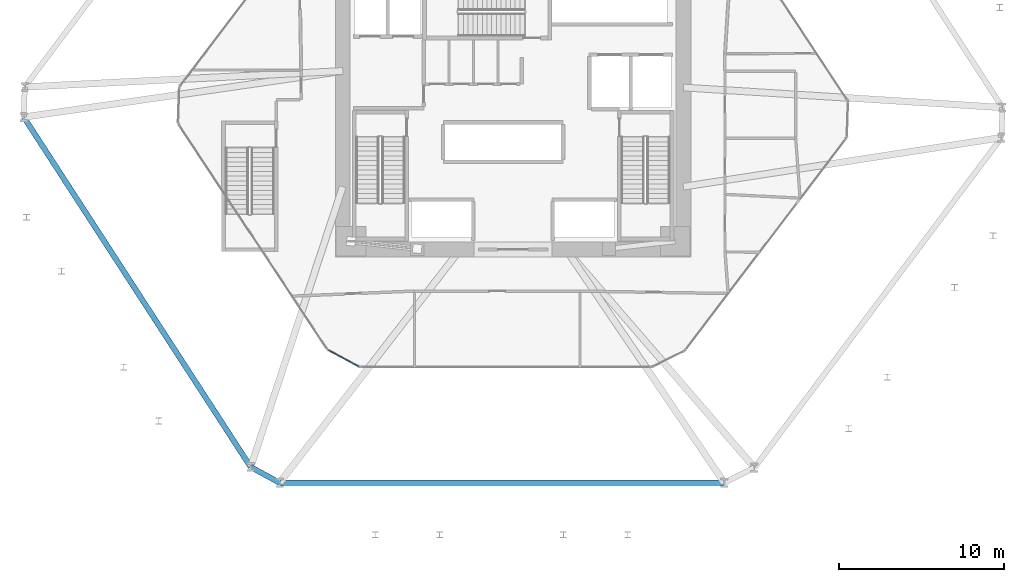
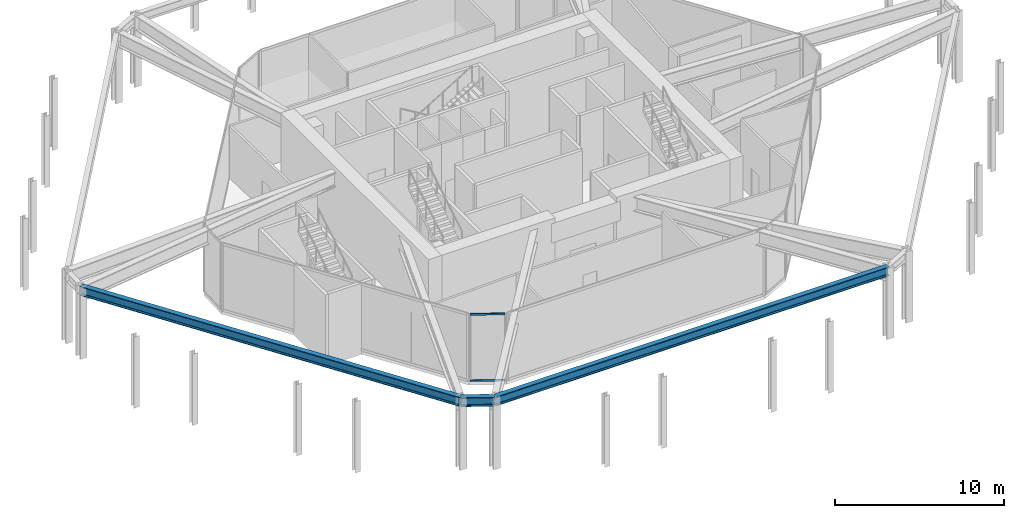
# One storey, part 5 of 16: 3 beams, 2 members, 1 element without a shape of its own.
"""IFC4 building model written with IfcOpenShell, lengths in metres."""

from ifc_helpers import new_model, si_unit, direction, frame, origin, origin_2d, place, context, subcontext, project, spatial, rectangle, i_section, extrude, source, transform, mapped, material, layer, layer_set, material_profile, profile_set, type_object, type_shapes, element, aggregate, save


model = new_model("IFC4")

# Units and contexts
model_context = context("Model", 3, precision=1e-05, world=origin(), true_north=direction((0.0, 1.0)))
body_context = subcontext(model_context, "Body", "Model", "MODEL_VIEW")
ifc_project = project(units=[si_unit("LENGTHUNIT", "METRE"), si_unit("AREAUNIT", "SQUARE_METRE"), si_unit("VOLUMEUNIT", "CUBIC_METRE"), si_unit("PLANEANGLEUNIT", "RADIAN"), si_unit("MASSUNIT", "GRAM", prefix="KILO")], contexts=[model_context])

# Site, building, storey
site_placement = place(None, origin())
site = spatial("IfcSite", under=ifc_project, at=site_placement, CompositionType="ELEMENT")
building_placement = place(site_placement, origin())
building = spatial("IfcBuilding", under=site, at=building_placement, Name="Durnholm Broadcast Tower", CompositionType="ELEMENT")
storey_placement = place(building_placement, frame((0.0, 0.0, 5.199951171875)))
storey = spatial("IfcBuildingStorey", under=building, at=storey_placement, Name="L01", CompositionType="ELEMENT", Elevation=5.199951171875)

# Beams
ifc_material_1 = material(Name="Steel ASTM A992 Grade 50", Category="steel")
ifc_material_profile_1 = material_profile(ifc_material_1, i_section(OverallWidth=0.3330078125, OverallDepth=0.660888671875, WebThickness=0.0244140625, FlangeThickness=0.0439453125, FilletRadius=0.02783203125, at=origin_2d()), Name="W24X229")
ifc_profile_set_1 = profile_set([ifc_material_profile_1], Name="Steel ASTM A992 Grade 50")
beam_type = type_object("IfcBeamType", Name="STL-SP-W24X229", PredefinedType="SPANDREL", material=ifc_profile_set_1)
shared_shape_1 = source(origin(), body_context, "Body", "SweptSolid", [
    extrude(i_section(OverallWidth=0.3330078125, OverallDepth=0.660888671875, WebThickness=0.0244140625, FlangeThickness=0.0439453125, FilletRadius=0.02783203125, at=origin_2d()), origin(), (0.0, 0.0, 1.0), 25.22265625),
])
beam_1_placement = place(storey_placement, frame((-15.866455078125, -21.45068359375, 4.504638671875), z_axis=(-0.544117081794, 0.839009297505, 0.0), x_axis=(-0.839009297505, -0.544117081794, 0.0)))
element("IfcBeam", 1, at=beam_1_placement, inside=storey, type_object=beam_type, Name="L01 perimeter spandrel girder 01", PredefinedType="SPANDREL", context=body_context, shape_type="MappedRepresentation", body=[
    mapped(shared_shape_1, transform((0.0, 0.0, 0.0), x_axis=(1.0, 0.0, 0.0), y_axis=(0.0, 1.0, 0.0), z_axis=(0.0, 0.0, 1.0), scale=1.0)),
])
shared_shape_2 = source(origin(), body_context, "Body", "SweptSolid", [
    extrude(i_section(OverallWidth=0.3330078125, OverallDepth=0.660888671875, WebThickness=0.0244140625, FlangeThickness=0.0439453125, FilletRadius=0.02783203125, at=origin_2d()), origin(), (0.0, 0.0, 1.0), 26.891357421875),
])
beam_2_placement = place(storey_placement, frame((12.77197265625, -22.39990234375, 4.504638671875), z_axis=(-1.0, 0.0, 0.0), x_axis=(0.0, -1.0, 0.0)))
element("IfcBeam", 2, at=beam_2_placement, inside=storey, type_object=beam_type, Name="L01 perimeter spandrel girder 11", PredefinedType="SPANDREL", context=body_context, shape_type="MappedRepresentation", body=[
    mapped(shared_shape_2, transform((0.0, 0.0, 0.0), x_axis=(1.0, 0.0, 0.0), y_axis=(0.0, 1.0, 0.0), z_axis=(0.0, 0.0, 1.0), scale=1.0)),
])
shared_shape_3 = source(origin(), body_context, "Body", "SweptSolid", [
    extrude(i_section(OverallWidth=0.3330078125, OverallDepth=0.660888671875, WebThickness=0.0244140625, FlangeThickness=0.0439453125, FilletRadius=0.02783203125, at=origin_2d()), origin(), (0.0, 0.0, 1.0), 1.98828125),
])
type_shapes(beam_type, [shared_shape_1, shared_shape_2, shared_shape_3])
beam_3_placement = place(storey_placement, frame((-14.119384765625, -22.39990234375, 4.504638671875), z_axis=(-0.878682739647, 0.477406161508, 0.0), x_axis=(-0.477406161508, -0.878682739647, 0.0)))
element("IfcBeam", 3, at=beam_3_placement, inside=storey, type_object=beam_type, Name="L01 perimeter spandrel girder 12", PredefinedType="SPANDREL", context=body_context, shape_type="MappedRepresentation", body=[
    mapped(shared_shape_3, transform((0.0, 0.0, 0.0), x_axis=(1.0, 0.0, 0.0), y_axis=(0.0, 1.0, 0.0), z_axis=(0.0, 0.0, 1.0), scale=1.0)),
])

# Curtain wall, members
ifc_material_2 = material(Name="Aluminium and Solar Control IGU", Category="aluminium")
ifc_layer = layer(ifc_material_2, 0.1650390625)
ifc_layer_set = layer_set([ifc_layer], Name="Aluminium and Solar Control IGU")
curtain_wall_type = type_object("IfcCurtainWallType", Name="CW-SYS-5", PredefinedType="NOTDEFINED", material=ifc_layer_set)
curtain_wall_placement = place(storey_placement, origin())
curtain_wall = element("IfcCurtainWall", 4, at=curtain_wall_placement, inside=storey, type_object=curtain_wall_type, Name="L01 curtain wall CW-CORNER CW-L01-CRN-11", PredefinedType="NOTDEFINED")
ifc_material_3 = material(Name="Aluminium 6063-T6", Category="aluminium")
ifc_material_profile_2 = material_profile(ifc_material_3, rectangle(XDim=0.06494140625, YDim=0.1298828125, at=origin_2d()), Name="CWT65X130")
ifc_profile_set_2 = profile_set([ifc_material_profile_2], Name="Aluminium 6063-T6")
member_type = type_object("IfcMemberType", Name="CW-SYS-5-TRN", PredefinedType="USERDEFINED", material=ifc_profile_set_2)
shared_shape_4 = source(origin(), body_context, "Body", "SweptSolid", [
    extrude(rectangle(XDim=0.06494140625, YDim=0.1298828125, at=origin_2d()), origin(), (0.0, 0.0, 1.0), 2.06982421875),
])
type_shapes(member_type, [shared_shape_4])
member_1_placement = place(storey_placement, frame((-9.3408203125, -15.369140625, 0.032470703125), z_axis=(-0.880626337544, 0.473811411454, 0.0), x_axis=(-0.473811411454, -0.880626337544, 0.0)))
member_1 = element("IfcMember", 5, at=member_1_placement, type_object=member_type, Name="CW-CORNER transom 1.1", ObjectType="TRANSOM", PredefinedType="USERDEFINED", context=body_context, shape_type="MappedRepresentation", body=[
    mapped(shared_shape_4, transform((0.0, 0.0, 0.0), x_axis=(1.0, 0.0, 0.0), y_axis=(0.0, 1.0, 0.0), z_axis=(0.0, 0.0, 1.0), scale=1.0)),
])
member_2_placement = place(storey_placement, frame((-9.3408203125, -15.369140625, 4.817626953125), z_axis=(-0.880626337544, 0.473811411454, 0.0), x_axis=(-0.473811411454, -0.880626337544, 0.0)))
member_2 = element("IfcMember", 6, at=member_2_placement, type_object=member_type, Name="CW-CORNER transom 1.2", ObjectType="TRANSOM", PredefinedType="USERDEFINED", context=body_context, shape_type="MappedRepresentation", body=[
    mapped(shared_shape_4, transform((0.0, 0.0, 0.0), x_axis=(1.0, 0.0, 0.0), y_axis=(0.0, 1.0, 0.0), z_axis=(0.0, 0.0, 1.0), scale=1.0)),
])
aggregate(curtain_wall, [member_1, member_2])

save(model, "model.ifc")
